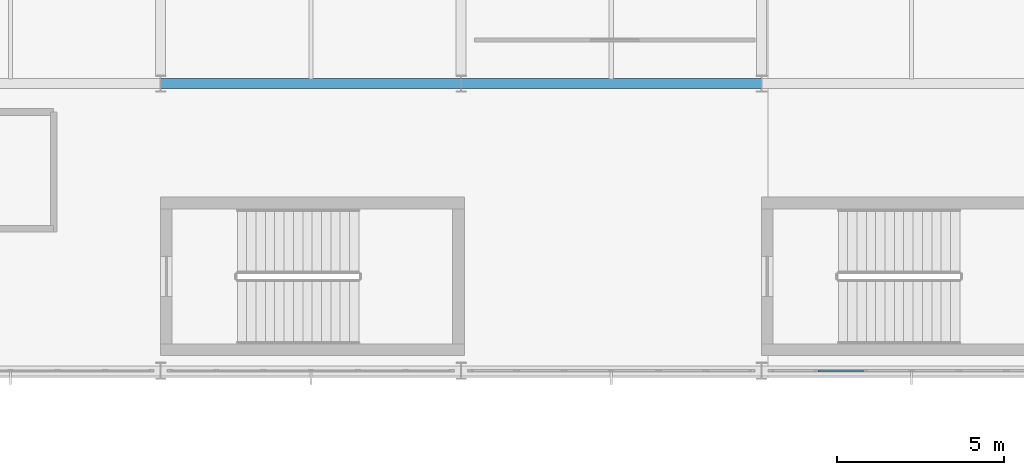
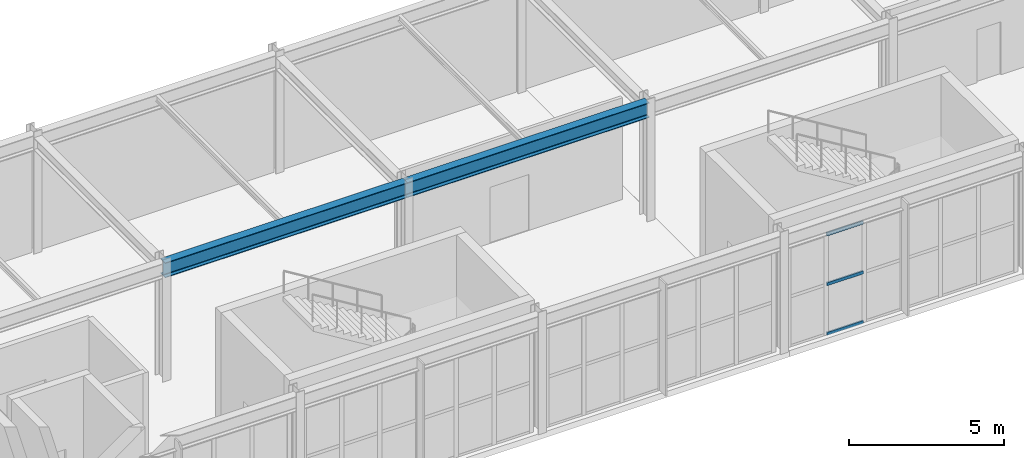
# One storey, part 33 of 112: 3 members, 2 beams, 1 element without a shape of its own.
"""IFC4 building model written with IfcOpenShell, lengths in metres."""

from ifc_helpers import new_model, si_unit, direction, frame, origin, origin_2d, place, context, subcontext, project, spatial, hollow_rectangle, i_section, extrude, material, material_profile, profile_set, type_object, element, aggregate, save


model = new_model("IFC4")

# Units and contexts
model_context = context("Model", 3, precision=1e-05, world=origin(), true_north=direction((0.0, 1.0)))
body_context = subcontext(model_context, "Body", "Model", "MODEL_VIEW")
ifc_project = project(units=[si_unit("LENGTHUNIT", "METRE"), si_unit("AREAUNIT", "SQUARE_METRE"), si_unit("VOLUMEUNIT", "CUBIC_METRE"), si_unit("PLANEANGLEUNIT", "RADIAN"), si_unit("MASSUNIT", "GRAM", prefix="KILO")], contexts=[model_context])

# Site, building, storey
site_placement = place(None, origin())
site = spatial("IfcSite", under=ifc_project, at=site_placement, CompositionType="ELEMENT")
building_placement = place(site_placement, origin())
building = spatial("IfcBuilding", under=site, at=building_placement, Name="Kaldris Quays Convention Centre", CompositionType="ELEMENT")
storey_placement = place(building_placement, frame((0.0, 0.0, 16.800048828125)))
storey = spatial("IfcBuildingStorey", under=building, at=storey_placement, Name="L03", CompositionType="ELEMENT", Elevation=16.800048828125)

# Curtain wall, members
ifc_material_1 = material(Name="Anodized aluminium AW-6060 and triple glazing", Category="aluminium")
curtain_wall_type = type_object("IfcCurtainWallType", Name="UNITISED CURTAIN WALL CW04", PredefinedType="NOTDEFINED", material=ifc_material_1)
curtain_wall_placement = place(storey_placement, origin())
curtain_wall = element("IfcCurtainWall", 1, at=curtain_wall_placement, inside=storey, type_object=curtain_wall_type, Name="L03 Unitised Curtain Wall CW04 126", PredefinedType="NOTDEFINED")
ifc_material_2 = material(Name="Anodized aluminium AW-6060", Category="aluminium")
ifc_material_profile_1 = material_profile(ifc_material_2, hollow_rectangle(XDim=0.06005859375, YDim=0.1201171875, WallThickness=0.00390625, at=origin_2d()), Name="RHS 120x60x4")
ifc_profile_set_1 = profile_set([ifc_material_profile_1], Name="Anodized aluminium AW-6060")
member_type = type_object("IfcMemberType", Name="CURTAIN TRANSOM CWT1", PredefinedType="USERDEFINED", material=ifc_profile_set_1)
member_1_placement = place(storey_placement, frame((129.69677734375, 38.0, 0.030029296875), z_axis=(1.0, 0.0, 0.0), x_axis=(0.0, 1.0, 0.0)))
member_1 = element("IfcMember", 2, at=member_1_placement, type_object=member_type, Name="CW04 transom 2.1", ObjectType="TRANSOM", PredefinedType="USERDEFINED", context=body_context, shape_type="SweptSolid", body=[
    extrude(hollow_rectangle(XDim=0.06005859375, YDim=0.1201171875, WallThickness=0.00390625, at=origin_2d()), origin(), (0.0, 0.0, 1.0), 1.3564453125),
])
member_2_placement = place(storey_placement, frame((129.69677734375, 38.0, 1.98193359375), z_axis=(1.0, 0.0, 0.0), x_axis=(0.0, 1.0, 0.0)))
member_2 = element("IfcMember", 3, at=member_2_placement, type_object=member_type, Name="CW04 transom 2.2", ObjectType="TRANSOM", PredefinedType="USERDEFINED", context=body_context, shape_type="SweptSolid", body=[
    extrude(hollow_rectangle(XDim=0.06005859375, YDim=0.1201171875, WallThickness=0.00390625, at=origin_2d()), origin(), (0.0, 0.0, 1.0), 1.3564453125),
])
member_3_placement = place(storey_placement, frame((129.69677734375, 38.0, 3.93505859375), z_axis=(1.0, 0.0, 0.0), x_axis=(0.0, 1.0, 0.0)))
member_3 = element("IfcMember", 4, at=member_3_placement, type_object=member_type, Name="CW04 transom 2.3", ObjectType="TRANSOM", PredefinedType="USERDEFINED", context=body_context, shape_type="SweptSolid", body=[
    extrude(hollow_rectangle(XDim=0.06005859375, YDim=0.1201171875, WallThickness=0.00390625, at=origin_2d()), origin(), (0.0, 0.0, 1.0), 1.3564453125),
])
aggregate(curtain_wall, [member_1, member_2, member_3])

# Beams
ifc_material_3 = material(Name="Steel S355J2", Category="steel")
ifc_material_profile_2 = material_profile(ifc_material_3, i_section(OverallWidth=0.300048828125, OverallDepth=0.590087890625, WebThickness=0.012939453125, FlangeThickness=0.02490234375, FilletRadius=0.027099609375, at=origin_2d()), Name="HEA 600")
ifc_profile_set_2 = profile_set([ifc_material_profile_2], Name="Steel S355J2")
beam_type = type_object("IfcBeamType", Name="STRUCTURAL BEAM BM08", PredefinedType="BEAM", material=ifc_profile_set_2)
for number, where, z_axis, x_axis, name in (
    (5, (110.001220703125, 46.60009765625, 4.284912109375), (1.0, 0.0, 0.0), (0.0, 1.0, 0.0), "L03 Girder BM08 13"),
    (6, (119.001220703125, 46.60009765625, 4.284912109375), (1.0, 0.0, 0.0), (0.0, 1.0, 0.0), "L03 Girder BM08 14"),
):
    element("IfcBeam", number, at=place(storey_placement, frame(where, z_axis=z_axis, x_axis=x_axis)), inside=storey, type_object=beam_type, Name=name, PredefinedType="BEAM", context=body_context, shape_type="SweptSolid", body=[
        extrude(i_section(OverallWidth=0.300048828125, OverallDepth=0.590087890625, WebThickness=0.012939453125, FlangeThickness=0.02490234375, FilletRadius=0.027099609375, at=origin_2d()), origin(), (0.0, 0.0, 1.0), 8.99755859375),
    ])

save(model, "model.ifc")
